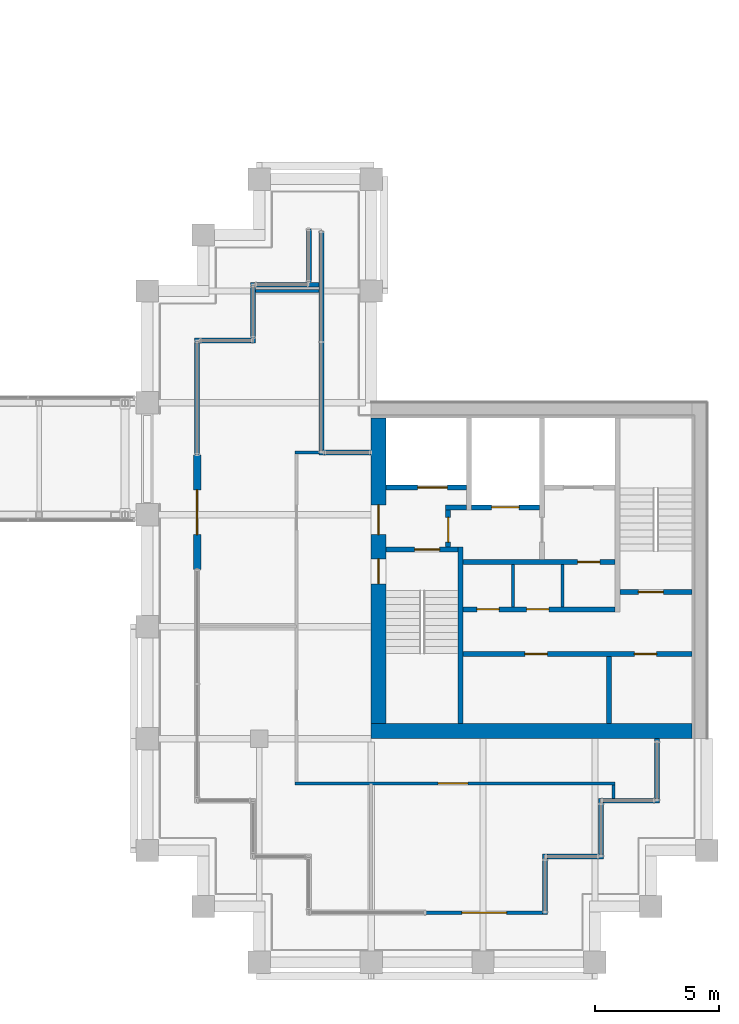
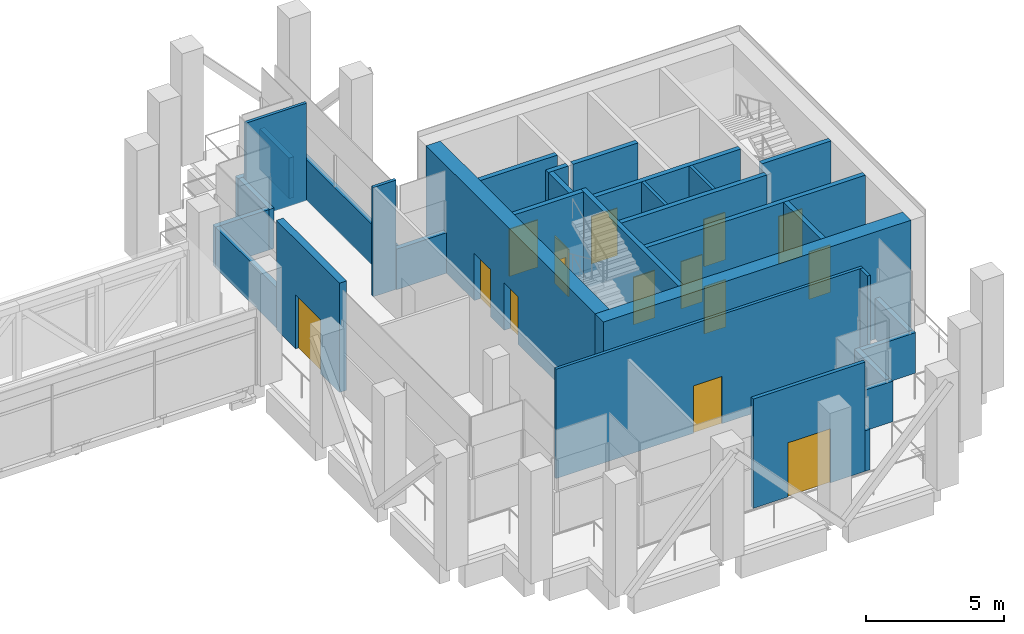
# One storey, part 30 of 34: 33 walls, 15 doors, 15 openings.
"""IFC4 building model written with IfcOpenShell, lengths in metres."""

from ifc_helpers import new_model, si_unit, direction, frame, frame_2d, origin, place, context, subcontext, project, spatial, rectangle, extrude, material, layer, layer_set, type_object, element, fill, save


model = new_model("IFC4")

# Units and contexts
model_context = context("Model", 3, precision=1e-05, world=origin(), true_north=direction((0.0, 1.0)))
body_context = subcontext(model_context, "Body", "Model", "MODEL_VIEW")
ifc_project = project(units=[si_unit("LENGTHUNIT", "METRE"), si_unit("AREAUNIT", "SQUARE_METRE"), si_unit("VOLUMEUNIT", "CUBIC_METRE"), si_unit("PLANEANGLEUNIT", "RADIAN"), si_unit("MASSUNIT", "GRAM", prefix="KILO")], contexts=[model_context])

# Site, building, storey
site_placement = place(None, origin())
site = spatial("IfcSite", under=ifc_project, at=site_placement, CompositionType="ELEMENT")
building_placement = place(site_placement, origin())
building = spatial("IfcBuilding", under=site, at=building_placement, Name="Altepetl Exchange Towers", CompositionType="ELEMENT")
storey_placement = place(building_placement, frame((0.0, 0.0, 190.60009765625)))
storey = spatial("IfcBuildingStorey", under=building, at=storey_placement, Name="L48 Refuge", CompositionType="ELEMENT", Elevation=190.60009765625)

# Wall
ifc_material_1 = material(Name="Concrete C70/85", Category="concrete")
ifc_layer_1 = layer(ifc_material_1, 0.60009765625)
ifc_layer_set_1 = layer_set([ifc_layer_1], Name="Concrete C70/85")
wall_type_1 = type_object("IfcWallType", Name="Core wall 600 reinforced concrete", PredefinedType="SHEAR", material=ifc_layer_set_1)
wall_1_placement = place(storey_placement, frame((103.5, 36.300048828125, 0.0)))
element("IfcWall", 1, at=wall_1_placement, inside=storey, type_object=wall_type_1, Name="wall:B:L48:K-coreS", PredefinedType="SHEAR", context=body_context, shape_type="SweptSolid", body=[
    extrude(rectangle(XDim=12.89990234375, YDim=0.60009765625, at=frame_2d((6.449951171875, 0.0))), origin(), (0.0, 0.0, 1.0), 4.75),
])

# Wall, openings, doors
wall_2_placement = place(storey_placement, frame((103.800048828125, 36.60009765625, 0.0), z_axis=(0.0, 0.0, 1.0), x_axis=(0.0, 1.0, 0.0)))
wall_2 = element("IfcWall", 2, at=wall_2_placement, inside=storey, type_object=wall_type_1, Name="wall:B:L48:K-coreW", PredefinedType="SHEAR", context=body_context, shape_type="SweptSolid", body=[
    extrude(rectangle(XDim=12.2998046875, YDim=0.60009765625, at=frame_2d((6.14990234375, 0.0))), origin(), (0.0, 0.0, 1.0), 4.75),
])
opening_1_placement = place(wall_2_placement, frame((7.60009765625, 0.0, 0.0)))
opening_1 = element("IfcOpeningElement", 3, at=opening_1_placement, cuts=wall_2, Name="Opening L48.B60", PredefinedType="OPENING", context=body_context, shape_type="SweptSolid", body=[
    extrude(rectangle(XDim=1.199951171875, YDim=2.10009765625, at=frame_2d((0.60009765625, 1.050048828125))), frame((0.0, 0.31005859375, 0.0), z_axis=(0.0, -1.0, 0.0), x_axis=(1.0, 0.0, 0.0)), (0.0, 0.0, 1.0), 0.6201171875),
])
opening_2_placement = place(wall_2_placement, frame((5.625, 0.0, 0.0)))
opening_2 = element("IfcOpeningElement", 4, at=opening_2_placement, cuts=wall_2, Name="Opening L48.B62", PredefinedType="OPENING", context=body_context, shape_type="SweptSolid", body=[
    extrude(rectangle(XDim=1.0, YDim=2.10009765625, at=frame_2d((0.5, 1.050048828125))), frame((0.0, 0.31005859375, 0.0), z_axis=(0.0, -1.0, 0.0), x_axis=(1.0, 0.0, 0.0)), (0.0, 0.0, 1.0), 0.6201171875),
])
ifc_material_2 = material(Name="Steel and timber fire door", Category="steel")
door_type_1 = type_object("IfcDoorType", Name="Fire door 1000 x 2100 stair and lobby", OperationType="SINGLE_SWING_LEFT", PredefinedType="DOOR", material=ifc_material_2)
door_1_placement = place(opening_2_placement, frame((1.0, 0.0, 0.0), x_axis=(-1.0, 0.0, 0.0)))
door_1 = element("IfcDoor", 5, at=door_1_placement, inside=storey, type_object=door_type_1, Name="door:B:L48:K-dS1x", OperationType="SINGLE_SWING_RIGHT", OverallHeight=2.10009765625, OverallWidth=1.0, PredefinedType="DOOR", context=body_context, shape_type="SweptSolid", body=[
    extrude(rectangle(XDim=1.0, YDim=2.10009765625, at=frame_2d((0.5, 1.050048828125))), frame((0.0, 0.02490234375, 0.0), z_axis=(0.0, -1.0, 0.0), x_axis=(1.0, 0.0, 0.0)), (0.0, 0.0, 1.0), 0.050048828125),
])
fill(opening_2, door_1)
door_type_2 = type_object("IfcDoorType", Name="Fire door 1200 x 2100 lobby entry", OperationType="SINGLE_SWING_LEFT", PredefinedType="DOOR", material=ifc_material_2)
door_2_placement = place(opening_1_placement, frame((1.199951171875, 0.0, 0.0), x_axis=(-1.0, 0.0, 0.0)))
door_2 = element("IfcDoor", 6, at=door_2_placement, inside=storey, type_object=door_type_2, Name="door:B:L48:K-dLNW", OperationType="SINGLE_SWING_RIGHT", OverallHeight=2.10009765625, OverallWidth=1.199951171875, PredefinedType="DOOR", context=body_context, shape_type="SweptSolid", body=[
    extrude(rectangle(XDim=1.199951171875, YDim=2.10009765625, at=frame_2d((0.60009765625, 1.050048828125))), frame((0.0, 0.02490234375, 0.0), z_axis=(0.0, -1.0, 0.0), x_axis=(1.0, 0.0, 0.0)), (0.0, 0.0, 1.0), 0.050048828125),
])
fill(opening_1, door_2)

# Wall, opening, door
ifc_material_3 = material(Name="Aluminium composite cladding", Category="aluminium")
ifc_layer_2 = layer(ifc_material_3, 0.14990234375)
ifc_layer_set_2 = layer_set([ifc_layer_2], Name="Aluminium composite cladding")
wall_type_2 = type_object("IfcWallType", Name="Infill wall 150 aluminium panel", PredefinedType="SOLIDWALL", material=ifc_layer_set_2)
wall_3_placement = place(storey_placement, frame((105.699951171875, 29.0, 0.0)))
wall_3 = element("IfcWall", 7, at=wall_3_placement, inside=storey, type_object=wall_type_2, Name="Loggia door bay wall", PredefinedType="SOLIDWALL", context=body_context, shape_type="SweptSolid", body=[
    extrude(rectangle(XDim=4.699951171875, YDim=0.14990234375, at=frame_2d((2.35009765625, 0.0))), origin(), (0.0, 0.0, 1.0), 4.849853515625),
])
opening_3_placement = place(wall_3_placement, frame((1.449951171875, 0.0, 0.0)))
opening_3 = element("IfcOpeningElement", 8, at=opening_3_placement, cuts=wall_3, Name="Opening L48.B90", PredefinedType="OPENING", context=body_context, shape_type="SweptSolid", body=[
    extrude(rectangle(XDim=1.800048828125, YDim=2.39990234375, at=frame_2d((0.89990234375, 1.199951171875))), frame((0.0, 0.0849609375, 0.0), z_axis=(0.0, -1.0, 0.0), x_axis=(1.0, 0.0, 0.0)), (0.0, 0.0, 1.0), 0.169921875),
])
ifc_material_4 = material(Name="Aluminium 6063-T6 and glass", Category="aluminium")
door_type_3 = type_object("IfcDoorType", Name="Glazed door pair 1800x2400", OperationType="DOUBLE_DOOR_DOUBLE_SWING", PredefinedType="NOTDEFINED", material=ifc_material_4)
door_3_placement = place(opening_3_placement, frame((1.800048828125, 0.0, 0.0), x_axis=(-1.0, 0.0, 0.0)))
door_3 = element("IfcDoor", 9, at=door_3_placement, inside=storey, type_object=door_type_3, Name="Loggia door", OperationType="DOUBLE_DOOR_DOUBLE_SWING", OverallHeight=2.39990234375, OverallWidth=1.800048828125, PredefinedType="NOTDEFINED", context=body_context, shape_type="SweptSolid", body=[
    extrude(rectangle(XDim=1.800048828125, YDim=2.39990234375, at=frame_2d((0.89990234375, 1.199951171875))), frame((0.0, 0.02490234375, 0.0), z_axis=(0.0, -1.0, 0.0), x_axis=(1.0, 0.0, 0.0)), (0.0, 0.0, 1.0), 0.050048828125),
])
fill(opening_3, door_3)

# Wall
ifc_material_5 = material(Name="Concrete blockwork", Category="masonry")
ifc_layer_3 = layer(ifc_material_5, 0.199951171875)
ifc_layer_set_3 = layer_set([ifc_layer_3], Name="Concrete blockwork")
wall_type_3 = type_object("IfcWallType", Name="Lobby wall 200 blockwork", PredefinedType="PARTITIONING", material=ifc_layer_set_3)
wall_4_placement = place(storey_placement, frame((106.5, 45.300048828125, 0.0)))
element("IfcWall", 10, at=wall_4_placement, inside=storey, type_object=wall_type_3, Name="wall:B:L48:K-ffNw", PredefinedType="PARTITIONING", context=body_context, shape_type="SweptSolid", body=[
    extrude(rectangle(XDim=0.833251953125, YDim=0.199951171875, at=frame_2d((0.41650390625, 0.0))), origin(), (0.0, 0.0, 1.0), 4.75),
])

# Wall, opening, door
wall_5_placement = place(storey_placement, frame((106.60009765625, 43.699951171875, 0.0), z_axis=(0.0, 0.0, 1.0), x_axis=(0.0, 1.0, 0.0)))
wall_5 = element("IfcWall", 11, at=wall_5_placement, inside=storey, type_object=wall_type_3, Name="wall:B:L48:K-ffW", PredefinedType="PARTITIONING", context=body_context, shape_type="SweptSolid", body=[
    extrude(rectangle(XDim=1.5, YDim=0.199951171875, at=frame_2d((0.75, 0.0))), origin(), (0.0, 0.0, 1.0), 4.75),
])
opening_4_placement = place(wall_5_placement, frame((0.199951171875, 0.0, 0.0)))
opening_4 = element("IfcOpeningElement", 12, at=opening_4_placement, cuts=wall_5, Name="Opening L48.B65", PredefinedType="OPENING", context=body_context, shape_type="SweptSolid", body=[
    extrude(rectangle(XDim=1.0, YDim=2.10009765625, at=frame_2d((0.5, 1.050048828125))), frame((0.0, 0.10986328125, 0.0), z_axis=(0.0, -1.0, 0.0), x_axis=(1.0, 0.0, 0.0)), (0.0, 0.0, 1.0), 0.219970703125),
])
door_4_placement = place(opening_4_placement, frame((1.0, 0.0, 0.0), x_axis=(-1.0, 0.0, 0.0)))
door_4 = element("IfcDoor", 13, at=door_4_placement, inside=storey, type_object=door_type_1, Name="door:B:L48:K-dffW", OperationType="SINGLE_SWING_LEFT", OverallHeight=2.10009765625, OverallWidth=1.0, PredefinedType="DOOR", context=body_context, shape_type="SweptSolid", body=[
    extrude(rectangle(XDim=1.0, YDim=2.10009765625, at=frame_2d((0.5, 1.050048828125))), frame((0.0, 0.02490234375, 0.0), z_axis=(0.0, -1.0, 0.0), x_axis=(1.0, 0.0, 0.0)), (0.0, 0.0, 1.0), 0.050048828125),
])
fill(opening_4, door_4)

wall_6_placement = place(storey_placement, frame((107.199951171875, 43.10009765625, 0.0)))
wall_6 = element("IfcWall", 14, at=wall_6_placement, inside=storey, type_object=wall_type_3, Name="wall:B:L48:K-zoneN", PredefinedType="PARTITIONING", context=body_context, shape_type="SweptSolid", body=[
    extrude(rectangle(XDim=6.10009765625, YDim=0.199951171875, at=frame_2d((3.050048828125, 0.0))), origin(), (0.0, 0.0, 1.0), 4.75),
])
opening_5_placement = place(wall_6_placement, frame((4.60009765625, 0.0, 0.0)))
opening_5 = element("IfcOpeningElement", 15, at=opening_5_placement, cuts=wall_6, Name="Opening L48.B70", PredefinedType="OPENING", context=body_context, shape_type="SweptSolid", body=[
    extrude(rectangle(XDim=0.89990234375, YDim=2.10009765625, at=frame_2d((0.449951171875, 1.050048828125))), frame((0.0, 0.10986328125, 0.0), z_axis=(0.0, -1.0, 0.0), x_axis=(1.0, 0.0, 0.0)), (0.0, 0.0, 1.0), 0.219970703125),
])
door_type_4 = type_object("IfcDoorType", Name="Fire door 900 x 2100 service room", OperationType="SINGLE_SWING_LEFT", PredefinedType="DOOR", material=ifc_material_2)
door_5_placement = place(opening_5_placement, frame((0.89990234375, 0.0, 0.0), x_axis=(-1.0, 0.0, 0.0)))
door_5 = element("IfcDoor", 16, at=door_5_placement, inside=storey, type_object=door_type_4, Name="door:B:L48:K-dz3", OperationType="SINGLE_SWING_LEFT", OverallHeight=2.10009765625, OverallWidth=0.89990234375, PredefinedType="DOOR", context=body_context, shape_type="SweptSolid", body=[
    extrude(rectangle(XDim=0.89990234375, YDim=2.10009765625, at=frame_2d((0.449951171875, 1.050048828125))), frame((0.0, 0.02490234375, 0.0), z_axis=(0.0, -1.0, 0.0), x_axis=(1.0, 0.0, 0.0)), (0.0, 0.0, 1.0), 0.050048828125),
])
fill(opening_5, door_5)

# Wall, openings, doors
wall_7_placement = place(storey_placement, frame((107.199951171875, 41.199951171875, 0.0)))
wall_7 = element("IfcWall", 17, at=wall_7_placement, inside=storey, type_object=wall_type_3, Name="wall:B:L48:K-zoneS", PredefinedType="PARTITIONING", context=body_context, shape_type="SweptSolid", body=[
    extrude(rectangle(XDim=6.10009765625, YDim=0.199951171875, at=frame_2d((3.050048828125, 0.0))), origin(), (0.0, 0.0, 1.0), 4.75),
])
opening_6_placement = place(wall_7_placement, frame((0.550048828125, 0.0, 0.0)))
opening_6 = element("IfcOpeningElement", 18, at=opening_6_placement, cuts=wall_7, Name="Opening L48.B68", PredefinedType="OPENING", context=body_context, shape_type="SweptSolid", body=[
    extrude(rectangle(XDim=0.89990234375, YDim=2.10009765625, at=frame_2d((0.449951171875, 1.050048828125))), frame((0.0, 0.10986328125, 0.0), z_axis=(0.0, -1.0, 0.0), x_axis=(1.0, 0.0, 0.0)), (0.0, 0.0, 1.0), 0.219970703125),
])
opening_7_placement = place(wall_7_placement, frame((2.550048828125, 0.0, 0.0)))
opening_7 = element("IfcOpeningElement", 19, at=opening_7_placement, cuts=wall_7, Name="Opening L48.B69", PredefinedType="OPENING", context=body_context, shape_type="SweptSolid", body=[
    extrude(rectangle(XDim=0.89990234375, YDim=2.10009765625, at=frame_2d((0.449951171875, 1.050048828125))), frame((0.0, 0.10986328125, 0.0), z_axis=(0.0, -1.0, 0.0), x_axis=(1.0, 0.0, 0.0)), (0.0, 0.0, 1.0), 0.219970703125),
])
door_6_placement = place(opening_6_placement, origin())
door_6 = element("IfcDoor", 20, at=door_6_placement, inside=storey, type_object=door_type_4, Name="door:B:L48:K-dz1", OperationType="SINGLE_SWING_RIGHT", OverallHeight=2.10009765625, OverallWidth=0.89990234375, PredefinedType="DOOR", context=body_context, shape_type="SweptSolid", body=[
    extrude(rectangle(XDim=0.89990234375, YDim=2.10009765625, at=frame_2d((0.449951171875, 1.050048828125))), frame((0.0, 0.02490234375, 0.0), z_axis=(0.0, -1.0, 0.0), x_axis=(1.0, 0.0, 0.0)), (0.0, 0.0, 1.0), 0.050048828125),
])
fill(opening_6, door_6)
door_7_placement = place(opening_7_placement, origin())
door_7 = element("IfcDoor", 21, at=door_7_placement, inside=storey, type_object=door_type_4, Name="door:B:L48:K-dz2", OperationType="SINGLE_SWING_LEFT", OverallHeight=2.10009765625, OverallWidth=0.89990234375, PredefinedType="DOOR", context=body_context, shape_type="SweptSolid", body=[
    extrude(rectangle(XDim=0.89990234375, YDim=2.10009765625, at=frame_2d((0.449951171875, 1.050048828125))), frame((0.0, 0.02490234375, 0.0), z_axis=(0.0, -1.0, 0.0), x_axis=(1.0, 0.0, 0.0)), (0.0, 0.0, 1.0), 0.050048828125),
])
fill(opening_7, door_7)

# Walls
ifc_material_6 = material(Name="Gypsum board on steel studs", Category="steel")
ifc_layer_4 = layer(ifc_material_6, 0.125)
ifc_layer_set_4 = layer_set([ifc_layer_4], Name="Gypsum board on steel studs")
wall_type_4 = type_object("IfcWallType", Name="Partition 125 gypsum board on steel studs", PredefinedType="PARTITIONING", material=ifc_layer_set_4)
for number, where, z_axis, x_axis, name in (
    (22, (109.199951171875, 41.300048828125, 0.0), (0.0, 0.0, 1.0), (0.0, 1.0, 0.0), "wall:B:L48:K-zp1"),
    (23, (111.199951171875, 41.300048828125, 0.0), (0.0, 0.0, 1.0), (0.0, 1.0, 0.0), "wall:B:L48:K-zp2"),
):
    element("IfcWall", number, at=place(storey_placement, frame(where, z_axis=z_axis, x_axis=x_axis)), inside=storey, type_object=wall_type_4, Name=name, PredefinedType="PARTITIONING", context=body_context, shape_type="SweptSolid", body=[
        extrude(rectangle(XDim=1.699951171875, YDim=0.125, at=frame_2d((0.85009765625, 0.0))), origin(), (0.0, 0.0, 1.0), 4.75),
    ])

# Wall, opening, door
wall_8_placement = place(storey_placement, frame((100.4375, 34.199951171875, 0.0)))
wall_8 = element("IfcWall", 24, at=wall_8_placement, inside=storey, type_object=wall_type_4, Name="wall:B:L48:P01", PredefinedType="PARTITIONING", context=body_context, shape_type="SweptSolid", body=[
    extrude(rectangle(XDim=12.875, YDim=0.125, at=frame_2d((6.4375, 0.0))), origin(), (0.0, 0.0, 1.0), 4.849853515625),
])
opening_8_placement = place(wall_8_placement, frame((5.755615234375, 0.0, 0.0)))
opening_8 = element("IfcOpeningElement", 25, at=opening_8_placement, cuts=wall_8, Name="Opening L48.B02", PredefinedType="OPENING", context=body_context, shape_type="SweptSolid", body=[
    extrude(rectangle(XDim=1.199951171875, YDim=2.10009765625, at=frame_2d((0.60009765625, 1.050048828125))), frame((0.0, 0.072509765625, 0.0), z_axis=(0.0, -1.0, 0.0), x_axis=(1.0, 0.0, 0.0)), (0.0, 0.0, 1.0), 0.14501953125),
])
door_type_5 = type_object("IfcDoorType", Name="Fire door 1200 x 2100 plant and refuge", OperationType="SINGLE_SWING_LEFT", PredefinedType="DOOR", material=ifc_material_2)
door_8_placement = place(opening_8_placement, frame((1.199951171875, 0.0, 0.0), x_axis=(-1.0, 0.0, 0.0)))
door_8 = element("IfcDoor", 26, at=door_8_placement, inside=storey, type_object=door_type_5, Name="door:B:L48:02", OperationType="SINGLE_SWING_RIGHT", OverallHeight=2.10009765625, OverallWidth=1.199951171875, PredefinedType="DOOR", context=body_context, shape_type="SweptSolid", body=[
    extrude(rectangle(XDim=1.199951171875, YDim=2.10009765625, at=frame_2d((0.60009765625, 1.050048828125))), frame((0.0, 0.02490234375, 0.0), z_axis=(0.0, -1.0, 0.0), x_axis=(1.0, 0.0, 0.0)), (0.0, 0.0, 1.0), 0.050048828125),
])
fill(opening_8, door_8)

# Walls
wall_9_placement = place(storey_placement, frame((100.4375, 47.5, 0.0)))
element("IfcWall", 27, at=wall_9_placement, inside=storey, type_object=wall_type_4, Name="wall:B:L48:P03", PredefinedType="PARTITIONING", context=body_context, shape_type="SweptSolid", body=[
    extrude(rectangle(XDim=0.96240234375, YDim=0.125, at=frame_2d((0.481201171875, 0.0))), origin(), (0.0, 0.0, 1.0), 4.849853515625),
])
wall_10_placement = place(storey_placement, frame((98.85009765625, 54.0, 0.0)))
element("IfcWall", 28, at=wall_10_placement, inside=storey, type_object=wall_type_4, Name="wall:B:L48:P04", PredefinedType="PARTITIONING", context=body_context, shape_type="SweptSolid", body=[
    extrude(rectangle(XDim=2.5498046875, YDim=0.125, at=frame_2d((1.27490234375, 0.0))), origin(), (0.0, 0.0, 1.0), 4.32080078125),
])
wall_11_placement = place(storey_placement, frame((113.25, 33.60009765625, 0.0), z_axis=(0.0, 0.0, 1.0), x_axis=(0.0, 1.0, 0.0)))
element("IfcWall", 29, at=wall_11_placement, inside=storey, type_object=wall_type_4, Name="wall:B:L48:P07", PredefinedType="PARTITIONING", context=body_context, shape_type="SweptSolid", body=[
    extrude(rectangle(XDim=0.537353515625, YDim=0.125, at=frame_2d((0.2685546875, 0.0))), origin(), (0.0, 0.0, 1.0), 4.849853515625),
])
ifc_material_7 = material(Name="Cantera limestone cladding", Category="masonry")
ifc_layer_5 = layer(ifc_material_7, 0.199951171875)
ifc_layer_set_5 = layer_set([ifc_layer_5], Name="Cantera limestone cladding")
wall_type_5 = type_object("IfcWallType", Name="Refuge stone wall 200", PredefinedType="ELEMENTEDWALL", material=ifc_layer_set_5)
wall_12_placement = place(storey_placement, frame((110.5, 28.925048828125, 0.0), z_axis=(0.0, 0.0, 1.0), x_axis=(0.0, 1.0, 0.0)))
element("IfcWall", 30, at=wall_12_placement, inside=storey, type_object=wall_type_5, Name="Refuge stone wall", PredefinedType="ELEMENTEDWALL", context=body_context, shape_type="SweptSolid", body=[
    extrude(rectangle(XDim=2.425048828125, YDim=0.199951171875, at=frame_2d((1.21240234375, 0.0))), origin(), (0.0, 0.0, 1.0), 1.7998046875),
])
wall_13_placement = place(storey_placement, frame((110.60009765625, 31.25, 0.0)))
element("IfcWall", 31, at=wall_13_placement, inside=storey, type_object=wall_type_5, Name="Refuge stone wall", PredefinedType="ELEMENTEDWALL", context=body_context, shape_type="SweptSolid", body=[
    extrude(rectangle(XDim=2.25, YDim=0.199951171875, at=frame_2d((1.125, 0.0))), origin(), (0.0, 0.0, 1.0), 1.7998046875),
])
wall_14_placement = place(storey_placement, frame((112.75, 31.35009765625, 0.0), z_axis=(0.0, 0.0, 1.0), x_axis=(0.0, 1.0, 0.0)))
element("IfcWall", 32, at=wall_14_placement, inside=storey, type_object=wall_type_5, Name="Refuge stone wall", PredefinedType="ELEMENTEDWALL", context=body_context, shape_type="SweptSolid", body=[
    extrude(rectangle(XDim=2.25, YDim=0.199951171875, at=frame_2d((1.125, 0.0))), origin(), (0.0, 0.0, 1.0), 1.7998046875),
])
wall_15_placement = place(storey_placement, frame((112.85009765625, 33.5, 0.0)))
element("IfcWall", 33, at=wall_15_placement, inside=storey, type_object=wall_type_5, Name="Refuge stone wall", PredefinedType="ELEMENTEDWALL", context=body_context, shape_type="SweptSolid", body=[
    extrude(rectangle(XDim=2.25, YDim=0.199951171875, at=frame_2d((1.125, 0.0))), origin(), (0.0, 0.0, 1.0), 1.7998046875),
])
wall_16_placement = place(storey_placement, frame((115.0, 33.60009765625, 0.0), z_axis=(0.0, 0.0, 1.0), x_axis=(0.0, 1.0, 0.0)))
element("IfcWall", 34, at=wall_16_placement, inside=storey, type_object=wall_type_5, Name="Refuge stone wall", PredefinedType="ELEMENTEDWALL", context=body_context, shape_type="SweptSolid", body=[
    extrude(rectangle(XDim=2.39990234375, YDim=0.199951171875, at=frame_2d((1.199951171875, 0.0))), origin(), (0.0, 0.0, 1.0), 1.7998046875),
])
wall_17_placement = place(storey_placement, frame((103.5, 47.5, 0.0), z_axis=(0.0, 0.0, 1.0), x_axis=(-1.0, 0.0, 0.0)))
element("IfcWall", 35, at=wall_17_placement, inside=storey, type_object=wall_type_5, Name="Refuge stone wall", PredefinedType="ELEMENTEDWALL", context=body_context, shape_type="SweptSolid", body=[
    extrude(rectangle(XDim=2.10009765625, YDim=0.199951171875, at=frame_2d((1.050048828125, 0.0))), origin(), (0.0, 0.0, 1.0), 1.7998046875),
])
wall_18_placement = place(storey_placement, frame((101.5, 47.60009765625, 0.0), z_axis=(0.0, 0.0, 1.0), x_axis=(0.0, 1.0, 0.0)))
element("IfcWall", 36, at=wall_18_placement, inside=storey, type_object=wall_type_5, Name="Refuge stone wall", PredefinedType="ELEMENTEDWALL", context=body_context, shape_type="SweptSolid", body=[
    extrude(rectangle(XDim=8.7998046875, YDim=0.199951171875, at=frame_2d((4.39990234375, 0.0))), origin(), (0.0, 0.0, 1.0), 1.7998046875),
])
wall_19_placement = place(storey_placement, frame((101.0, 56.5, 0.0), z_axis=(0.0, 0.0, 1.0), x_axis=(0.0, -1.0, 0.0)))
element("IfcWall", 37, at=wall_19_placement, inside=storey, type_object=wall_type_5, Name="Refuge stone wall", PredefinedType="ELEMENTEDWALL", context=body_context, shape_type="SweptSolid", body=[
    extrude(rectangle(XDim=2.14990234375, YDim=0.199951171875, at=frame_2d((1.074951171875, 0.0))), origin(), (0.0, 0.0, 1.0), 1.7998046875),
])
wall_20_placement = place(storey_placement, frame((101.39990234375, 54.25, 0.0), z_axis=(0.0, 0.0, 1.0), x_axis=(-1.0, 0.0, 0.0)))
element("IfcWall", 38, at=wall_20_placement, inside=storey, type_object=wall_type_5, Name="Refuge stone wall", PredefinedType="ELEMENTEDWALL", context=body_context, shape_type="SweptSolid", body=[
    extrude(rectangle(XDim=2.75, YDim=0.199951171875, at=frame_2d((1.375, 0.0))), origin(), (0.0, 0.0, 1.0), 1.7998046875),
])
for number, where, z_axis, x_axis, name in (
    (39, (98.75, 54.14990234375, 0.0), (0.0, 0.0, 1.0), (0.0, -1.0, 0.0), "Refuge stone wall"),
    (40, (98.64990234375, 52.0, 0.0), (0.0, 0.0, 1.0), (-1.0, 0.0, 0.0), "Refuge stone wall"),
):
    element("IfcWall", number, at=place(storey_placement, frame(where, z_axis=z_axis, x_axis=x_axis)), inside=storey, type_object=wall_type_5, Name=name, PredefinedType="ELEMENTEDWALL", context=body_context, shape_type="SweptSolid", body=[
        extrude(rectangle(XDim=2.25, YDim=0.199951171875, at=frame_2d((1.125, 0.0))), origin(), (0.0, 0.0, 1.0), 1.7998046875),
    ])
wall_21_placement = place(storey_placement, frame((96.5, 51.89990234375, 0.0), z_axis=(0.0, 0.0, 1.0), x_axis=(0.0, -1.0, 0.0)))
element("IfcWall", 41, at=wall_21_placement, inside=storey, type_object=wall_type_5, Name="Refuge stone wall", PredefinedType="ELEMENTEDWALL", context=body_context, shape_type="SweptSolid", body=[
    extrude(rectangle(XDim=4.5, YDim=0.199951171875, at=frame_2d((2.25, 0.0))), origin(), (0.0, 0.0, 1.0), 1.7998046875),
])

# Wall, opening, door
ifc_material_8 = material(Name="Concrete C40/50", Category="concrete")
ifc_layer_6 = layer(ifc_material_8, 0.199951171875)
ifc_layer_set_6 = layer_set([ifc_layer_6], Name="Concrete C40/50")
wall_type_6 = type_object("IfcWallType", Name="Shaft wall 200 reinforced concrete", PredefinedType="SHEAR", material=ifc_layer_set_6)
wall_22_placement = place(storey_placement, frame((104.10009765625, 46.10009765625, 0.0)))
wall_22 = element("IfcWall", 42, at=wall_22_placement, inside=storey, type_object=wall_type_6, Name="wall:B:L48:K-frontNa", PredefinedType="SHEAR", context=body_context, shape_type="SweptSolid", body=[
    extrude(rectangle(XDim=3.233154296875, YDim=0.199951171875, at=frame_2d((1.61669921875, 0.0))), origin(), (0.0, 0.0, 1.0), 4.75),
])
opening_9_placement = place(wall_22_placement, frame((1.2666015625, 0.0, 0.0)))
opening_9 = element("IfcOpeningElement", 43, at=opening_9_placement, cuts=wall_22, Name="Opening L48.B72", PredefinedType="OPENING", context=body_context, shape_type="SweptSolid", body=[
    extrude(rectangle(XDim=1.199951171875, YDim=2.10009765625, at=frame_2d((0.60009765625, 1.050048828125))), frame((0.0, 0.10986328125, 0.0), z_axis=(0.0, -1.0, 0.0), x_axis=(1.0, 0.0, 0.0)), (0.0, 0.0, 1.0), 0.219970703125),
])
ifc_material_9 = material(Name="Stainless steel", Category="steel")
door_type_6 = type_object("IfcDoorType", Name="Lift landing door 1200 x 2100", OperationType="SLIDING_TO_LEFT", PredefinedType="DOOR", material=ifc_material_9)
door_9_placement = place(opening_9_placement, origin())
door_9 = element("IfcDoor", 44, at=door_9_placement, inside=storey, type_object=door_type_6, Name="Landing door P4", OperationType="SLIDING_TO_LEFT", OverallHeight=2.10009765625, OverallWidth=1.199951171875, PredefinedType="DOOR", context=body_context, shape_type="SweptSolid", body=[
    extrude(rectangle(XDim=1.199951171875, YDim=2.10009765625, at=frame_2d((0.60009765625, 1.050048828125))), frame((0.0, 0.02490234375, 0.0), z_axis=(0.0, -1.0, 0.0), x_axis=(1.0, 0.0, 0.0)), (0.0, 0.0, 1.0), 0.050048828125),
])
fill(opening_9, door_9)

wall_23_placement = place(storey_placement, frame((107.533203125, 45.300048828125, 0.0)))
wall_23 = element("IfcWall", 45, at=wall_23_placement, inside=storey, type_object=wall_type_6, Name="wall:B:L48:K-frontNd", PredefinedType="SHEAR", context=body_context, shape_type="SweptSolid", body=[
    extrude(rectangle(XDim=2.7333984375, YDim=0.199951171875, at=frame_2d((1.36669921875, 0.0))), origin(), (0.0, 0.0, 1.0), 4.75),
])
opening_10_placement = place(wall_23_placement, frame((0.816650390625, 0.0, 0.0)))
opening_10 = element("IfcOpeningElement", 46, at=opening_10_placement, cuts=wall_23, Name="Opening L48.B71", PredefinedType="OPENING", context=body_context, shape_type="SweptSolid", body=[
    extrude(rectangle(XDim=1.10009765625, YDim=2.10009765625, at=frame_2d((0.550048828125, 1.050048828125))), frame((0.0, 0.10986328125, 0.0), z_axis=(0.0, -1.0, 0.0), x_axis=(1.0, 0.0, 0.0)), (0.0, 0.0, 1.0), 0.219970703125),
])
door_type_7 = type_object("IfcDoorType", Name="Lift landing door 1100 x 2100", OperationType="SLIDING_TO_LEFT", PredefinedType="DOOR", material=ifc_material_9)
door_10_placement = place(opening_10_placement, origin())
door_10 = element("IfcDoor", 47, at=door_10_placement, inside=storey, type_object=door_type_7, Name="Landing door FFL1", OperationType="SLIDING_TO_LEFT", OverallHeight=2.10009765625, OverallWidth=1.10009765625, PredefinedType="DOOR", context=body_context, shape_type="SweptSolid", body=[
    extrude(rectangle(XDim=1.10009765625, YDim=2.10009765625, at=frame_2d((0.550048828125, 1.050048828125))), frame((0.0, 0.02490234375, 0.0), z_axis=(0.0, -1.0, 0.0), x_axis=(1.0, 0.0, 0.0)), (0.0, 0.0, 1.0), 0.050048828125),
])
fill(opening_10, door_10)

# Wall, openings, doors
wall_24_placement = place(storey_placement, frame((107.199951171875, 39.39990234375, 0.0)))
wall_24 = element("IfcWall", 48, at=wall_24_placement, inside=storey, type_object=wall_type_6, Name="wall:B:L48:K-frontS", PredefinedType="SHEAR", context=body_context, shape_type="SweptSolid", body=[
    extrude(rectangle(XDim=9.199951171875, YDim=0.199951171875, at=frame_2d((4.60009765625, 0.0))), origin(), (0.0, 0.0, 1.0), 4.75),
])
opening_11_placement = place(wall_24_placement, frame((2.4833984375, 0.0, 0.0)))
opening_11 = element("IfcOpeningElement", 49, at=opening_11_placement, cuts=wall_24, Name="Opening L48.B66", PredefinedType="OPENING", context=body_context, shape_type="SweptSolid", body=[
    extrude(rectangle(XDim=0.89990234375, YDim=2.10009765625, at=frame_2d((0.449951171875, 1.050048828125))), frame((0.0, 0.10986328125, 0.0), z_axis=(0.0, -1.0, 0.0), x_axis=(1.0, 0.0, 0.0)), (0.0, 0.0, 1.0), 0.219970703125),
])
opening_12_placement = place(wall_24_placement, frame((6.88330078125, 0.0, 0.0)))
opening_12 = element("IfcOpeningElement", 50, at=opening_12_placement, cuts=wall_24, Name="Opening L48.B67", PredefinedType="OPENING", context=body_context, shape_type="SweptSolid", body=[
    extrude(rectangle(XDim=0.89990234375, YDim=2.10009765625, at=frame_2d((0.449951171875, 1.050048828125))), frame((0.0, 0.10986328125, 0.0), z_axis=(0.0, -1.0, 0.0), x_axis=(1.0, 0.0, 0.0)), (0.0, 0.0, 1.0), 0.219970703125),
])
door_11_placement = place(opening_11_placement, frame((0.89990234375, 0.0, 0.0), x_axis=(-1.0, 0.0, 0.0)))
door_11 = element("IfcDoor", 51, at=door_11_placement, inside=storey, type_object=door_type_4, Name="door:B:L48:K-dslotS0", OperationType="SINGLE_SWING_LEFT", OverallHeight=2.10009765625, OverallWidth=0.89990234375, PredefinedType="DOOR", context=body_context, shape_type="SweptSolid", body=[
    extrude(rectangle(XDim=0.89990234375, YDim=2.10009765625, at=frame_2d((0.449951171875, 1.050048828125))), frame((0.0, 0.02490234375, 0.0), z_axis=(0.0, -1.0, 0.0), x_axis=(1.0, 0.0, 0.0)), (0.0, 0.0, 1.0), 0.050048828125),
])
fill(opening_11, door_11)
door_12_placement = place(opening_12_placement, frame((0.89990234375, 0.0, 0.0), x_axis=(-1.0, 0.0, 0.0)))
door_12 = element("IfcDoor", 52, at=door_12_placement, inside=storey, type_object=door_type_4, Name="door:B:L48:K-dslotS2", OperationType="SINGLE_SWING_LEFT", OverallHeight=2.10009765625, OverallWidth=0.89990234375, PredefinedType="DOOR", context=body_context, shape_type="SweptSolid", body=[
    extrude(rectangle(XDim=0.89990234375, YDim=2.10009765625, at=frame_2d((0.449951171875, 1.050048828125))), frame((0.0, 0.02490234375, 0.0), z_axis=(0.0, -1.0, 0.0), x_axis=(1.0, 0.0, 0.0)), (0.0, 0.0, 1.0), 0.050048828125),
])
fill(opening_12, door_12)

# Walls
ifc_layer_7 = layer(ifc_material_1, 0.199951171875)
ifc_layer_set_7 = layer_set([ifc_layer_7], Name="Concrete C70/85")
wall_type_7 = type_object("IfcWallType", Name="Shear wall 200 reinforced concrete", PredefinedType="SHEAR", material=ifc_layer_set_7)
wall_25_placement = place(storey_placement, frame((113.066650390625, 36.60009765625, 0.0), z_axis=(0.0, 0.0, 1.0), x_axis=(0.0, 1.0, 0.0)))
element("IfcWall", 53, at=wall_25_placement, inside=storey, type_object=wall_type_7, Name="wall:B:L48:K-divS2", PredefinedType="SHEAR", context=body_context, shape_type="SweptSolid", body=[
    extrude(rectangle(XDim=2.699951171875, YDim=0.199951171875, at=frame_2d((1.35009765625, 0.0))), origin(), (0.0, 0.0, 1.0), 4.75),
])
ifc_layer_8 = layer(ifc_material_8, 0.199951171875)
ifc_layer_set_8 = layer_set([ifc_layer_8], Name="Concrete C40/50")
wall_type_8 = type_object("IfcWallType", Name="Stair wall 200 reinforced concrete", PredefinedType="SHEAR", material=ifc_layer_set_8)
wall_26_placement = place(storey_placement, frame((107.10009765625, 36.60009765625, 0.0), z_axis=(0.0, 0.0, 1.0), x_axis=(0.0, 1.0, 0.0)))
element("IfcWall", 54, at=wall_26_placement, inside=storey, type_object=wall_type_8, Name="wall:B:L48:K-stS1E", PredefinedType="SHEAR", context=body_context, shape_type="SweptSolid", body=[
    extrude(rectangle(XDim=7.099853515625, YDim=0.199951171875, at=frame_2d((3.5498046875, 0.0))), origin(), (0.0, 0.0, 1.0), 4.75),
])

# Wall, opening, door
wall_27_placement = place(storey_placement, frame((104.10009765625, 43.60009765625, 0.0)))
wall_27 = element("IfcWall", 55, at=wall_27_placement, inside=storey, type_object=wall_type_8, Name="wall:B:L48:K-stS1N", PredefinedType="SHEAR", context=body_context, shape_type="SweptSolid", body=[
    extrude(rectangle(XDim=2.89990234375, YDim=0.199951171875, at=frame_2d((1.449951171875, 0.0))), origin(), (0.0, 0.0, 1.0), 4.75),
])
opening_13_placement = place(wall_27_placement, frame((1.14990234375, 0.0, 0.0)))
opening_13 = element("IfcOpeningElement", 56, at=opening_13_placement, cuts=wall_27, Name="Opening L48.B61", PredefinedType="OPENING", context=body_context, shape_type="SweptSolid", body=[
    extrude(rectangle(XDim=1.0, YDim=2.10009765625, at=frame_2d((0.5, 1.050048828125))), frame((0.0, 0.10986328125, 0.0), z_axis=(0.0, -1.0, 0.0), x_axis=(1.0, 0.0, 0.0)), (0.0, 0.0, 1.0), 0.219970703125),
])
door_13_placement = place(opening_13_placement, frame((1.0, 0.0, 0.0), x_axis=(-1.0, 0.0, 0.0)))
door_13 = element("IfcDoor", 57, at=door_13_placement, inside=storey, type_object=door_type_1, Name="door:B:L48:K-dS1in", OperationType="SINGLE_SWING_LEFT", OverallHeight=2.10009765625, OverallWidth=1.0, PredefinedType="DOOR", context=body_context, shape_type="SweptSolid", body=[
    extrude(rectangle(XDim=1.0, YDim=2.10009765625, at=frame_2d((0.5, 1.050048828125))), frame((0.0, 0.02490234375, 0.0), z_axis=(0.0, -1.0, 0.0), x_axis=(1.0, 0.0, 0.0)), (0.0, 0.0, 1.0), 0.050048828125),
])
fill(opening_13, door_13)

wall_28_placement = place(storey_placement, frame((113.5, 41.89990234375, 0.0)))
wall_28 = element("IfcWall", 58, at=wall_28_placement, inside=storey, type_object=wall_type_8, Name="wall:B:L48:K-stS2S", PredefinedType="SHEAR", context=body_context, shape_type="SweptSolid", body=[
    extrude(rectangle(XDim=2.89990234375, YDim=0.199951171875, at=frame_2d((1.449951171875, 0.0))), origin(), (0.0, 0.0, 1.0), 4.75),
])
opening_14_placement = place(wall_28_placement, frame((0.75, 0.0, 0.0)))
opening_14 = element("IfcOpeningElement", 59, at=opening_14_placement, cuts=wall_28, Name="Opening L48.B63", PredefinedType="OPENING", context=body_context, shape_type="SweptSolid", body=[
    extrude(rectangle(XDim=1.0, YDim=2.10009765625, at=frame_2d((0.5, 1.050048828125))), frame((0.0, 0.10986328125, 0.0), z_axis=(0.0, -1.0, 0.0), x_axis=(1.0, 0.0, 0.0)), (0.0, 0.0, 1.0), 0.219970703125),
])
door_14_placement = place(opening_14_placement, origin())
door_14 = element("IfcDoor", 60, at=door_14_placement, inside=storey, type_object=door_type_1, Name="door:B:L48:K-dS2in", OperationType="SINGLE_SWING_RIGHT", OverallHeight=2.10009765625, OverallWidth=1.0, PredefinedType="DOOR", context=body_context, shape_type="SweptSolid", body=[
    extrude(rectangle(XDim=1.0, YDim=2.10009765625, at=frame_2d((0.5, 1.050048828125))), frame((0.0, 0.02490234375, 0.0), z_axis=(0.0, -1.0, 0.0), x_axis=(1.0, 0.0, 0.0)), (0.0, 0.0, 1.0), 0.050048828125),
])
fill(opening_14, door_14)

ifc_layer_9 = layer(ifc_material_7, 0.300048828125)
ifc_layer_set_9 = layer_set([ifc_layer_9], Name="Cantera limestone cladding")
wall_type_9 = type_object("IfcWallType", Name="Stone wall panel 300", PredefinedType="ELEMENTEDWALL", material=ifc_layer_set_9)
wall_29_placement = place(storey_placement, frame((96.5, 47.39990234375, 0.0), z_axis=(0.0, 0.0, 1.0), x_axis=(0.0, -1.0, 0.0)))
wall_29 = element("IfcWall", 61, at=wall_29_placement, inside=storey, type_object=wall_type_9, Name="Stone wall panel at BR3 landing", PredefinedType="ELEMENTEDWALL", context=body_context, shape_type="SweptSolid", body=[
    extrude(rectangle(XDim=4.599853515625, YDim=0.300048828125, at=frame_2d((2.2998046875, 0.0))), origin(), (0.0, 0.0, 1.0), 4.849853515625),
])
opening_15_placement = place(wall_29_placement, frame((1.39990234375, 0.0, 0.0)))
opening_15 = element("IfcOpeningElement", 62, at=opening_15_placement, cuts=wall_29, Name="Opening L48.B91", PredefinedType="OPENING", context=body_context, shape_type="SweptSolid", body=[
    extrude(rectangle(XDim=1.800048828125, YDim=2.39990234375, at=frame_2d((0.89990234375, 1.199951171875))), frame((0.0, 0.16015625, 0.0), z_axis=(0.0, -1.0, 0.0), x_axis=(1.0, 0.0, 0.0)), (0.0, 0.0, 1.0), 0.320068359375),
])
ifc_material_10 = material(Name="Steel S275 and fire resisting glass", Category="steel")
door_type_8 = type_object("IfcDoorType", Name="Bridge fire door pair 1800x2400", OperationType="DOUBLE_DOOR_DOUBLE_SWING", PredefinedType="NOTDEFINED", material=ifc_material_10)
door_15_placement = place(opening_15_placement, origin())
door_15 = element("IfcDoor", 63, at=door_15_placement, inside=storey, type_object=door_type_8, Name="BR3 fire door", OperationType="DOUBLE_DOOR_DOUBLE_SWING", OverallHeight=2.39990234375, OverallWidth=1.800048828125, PredefinedType="NOTDEFINED", context=body_context, shape_type="SweptSolid", body=[
    extrude(rectangle(XDim=1.800048828125, YDim=2.39990234375, at=frame_2d((0.89990234375, 1.199951171875))), frame((0.0, 0.02490234375, 0.0), z_axis=(0.0, -1.0, 0.0), x_axis=(1.0, 0.0, 0.0)), (0.0, 0.0, 1.0), 0.050048828125),
])
fill(opening_15, door_15)

save(model, "model.ifc")
